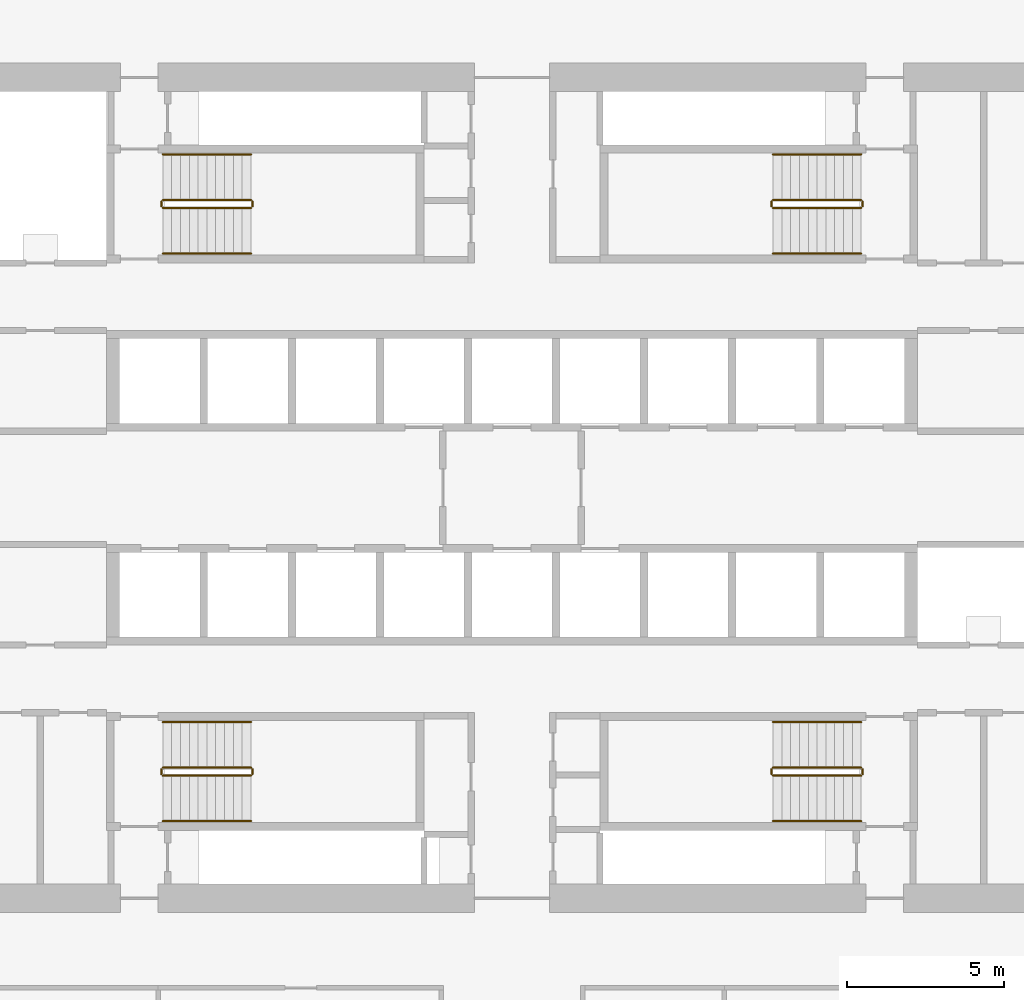
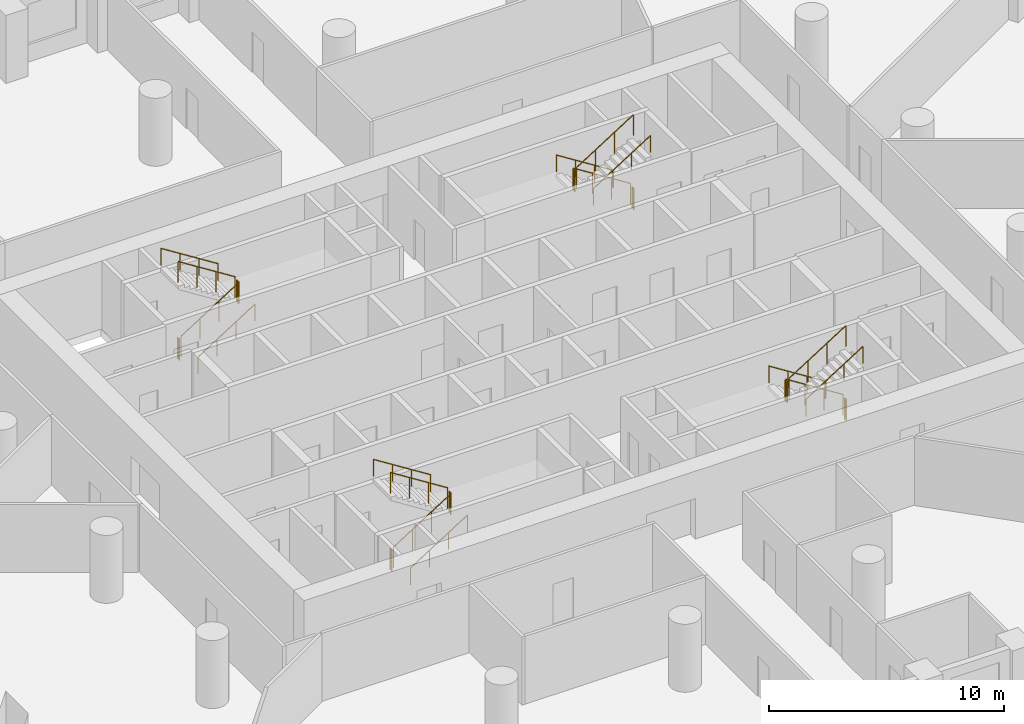
# One storey, part 10 of 10: 24 railings.
"""IFC4 building model written with IfcOpenShell, lengths in metres."""

from ifc_helpers import new_model, si_unit, direction, frame, origin, origin_2d, place, context, subcontext, project, spatial, circle, extrude, material, type_object, element, save


model = new_model("IFC4")

# Units and contexts
model_context = context("Model", 3, precision=1e-05, world=origin(), true_north=direction((0.0, 1.0)))
body_context = subcontext(model_context, "Body", "Model", "MODEL_VIEW")
ifc_project = project(units=[si_unit("LENGTHUNIT", "METRE"), si_unit("AREAUNIT", "SQUARE_METRE"), si_unit("VOLUMEUNIT", "CUBIC_METRE"), si_unit("PLANEANGLEUNIT", "RADIAN"), si_unit("MASSUNIT", "GRAM", prefix="KILO")], contexts=[model_context])

# Site, building, storey
site_placement = place(None, origin())
site = spatial("IfcSite", under=ifc_project, at=site_placement, CompositionType="ELEMENT")
building_placement = place(site_placement, origin())
building = spatial("IfcBuilding", under=site, at=building_placement, Name="Dhurran Vertical Campus", CompositionType="ELEMENT")
storey_placement = place(building_placement, frame((0.0, 0.0, 45.60009765625)))
storey = spatial("IfcBuildingStorey", under=building, at=storey_placement, Name="L10", CompositionType="ELEMENT", Elevation=45.60009765625)

# Railings
ifc_material_1 = material(Name="Stainless steel balustrade", Category="steel")
railing_type_1 = type_object("IfcRailingType", Name="co-RL-GUARD-1100", PredefinedType="GUARDRAIL", material=ifc_material_1)
railing_1_placement = place(storey_placement, frame((-11.10009765625, 8.89990234375, 0.17724609375)))
element("IfcRailing", 1, at=railing_1_placement, inside=storey, type_object=railing_type_1, Name="L10 ST1 stair guard 1", PredefinedType="GUARDRAIL", context=body_context, shape_type="SweptSolid", body=[
    extrude(circle(Radius=0.02392578125, at=origin_2d()), frame((0.0, 0.0, 1.076171875), z_axis=(0.844908973607, 0.0, 0.534910110503), x_axis=(0.0, 1.0, 0.0)), (0.0, 0.0, 1.0), 3.31396484375),
    extrude(circle(Radius=0.02099609375, at=origin_2d()), origin(), (0.0, 0.0, 1.0), 1.052001953125),
    extrude(circle(Radius=0.02099609375, at=origin_2d()), frame((0.933349609375, 0.0, 0.5908203125)), (0.0, 0.0, 1.0), 1.052001953125),
    extrude(circle(Radius=0.02099609375, at=origin_2d()), frame((1.86669921875, 0.0, 1.181884765625)), (0.0, 0.0, 1.0), 1.052001953125),
    extrude(circle(Radius=0.02099609375, at=origin_2d()), frame((2.800048828125, 0.0, 1.772705078125)), (0.0, 0.0, 1.0), 1.052001953125),
])
railing_2_placement = place(storey_placement, frame((-8.25, 8.949951171875, 1.949951171875)))
element("IfcRailing", 2, at=railing_2_placement, inside=storey, type_object=railing_type_1, Name="L10 ST1 stair guard 2", PredefinedType="GUARDRAIL", context=body_context, shape_type="SweptSolid", body=[
    extrude(circle(Radius=0.02392578125, at=origin_2d()), frame((0.0, 0.0, 1.076171875), z_axis=(0.0, 1.0, 0.0), x_axis=(-1.0, 0.0, 0.0)), (0.0, 0.0, 1.0), 0.150146484375),
    extrude(circle(Radius=0.02099609375, at=origin_2d()), origin(), (0.0, 0.0, 1.0), 1.052001953125),
    extrude(circle(Radius=0.02099609375, at=origin_2d()), frame((0.0, 0.150146484375, 0.0)), (0.0, 0.0, 1.0), 1.052001953125),
])
railing_3_placement = place(storey_placement, frame((-8.300048828125, 9.14990234375, 2.127197265625)))
element("IfcRailing", 3, at=railing_3_placement, inside=storey, type_object=railing_type_1, Name="L10 ST1 stair guard 3", PredefinedType="GUARDRAIL", context=body_context, shape_type="SweptSolid", body=[
    extrude(circle(Radius=0.02392578125, at=origin_2d()), frame((0.0, 0.0, 1.076171875), z_axis=(-0.844908973607, 0.0, 0.534910110503), x_axis=(0.0, -1.0, 0.0)), (0.0, 0.0, 1.0), 3.31396484375),
    extrude(circle(Radius=0.02099609375, at=origin_2d()), origin(), (0.0, 0.0, 1.0), 1.052001953125),
    extrude(circle(Radius=0.02099609375, at=origin_2d()), frame((-0.933349609375, 0.0, 0.5908203125)), (0.0, 0.0, 1.0), 1.052001953125),
    extrude(circle(Radius=0.02099609375, at=origin_2d()), frame((-1.86669921875, 0.0, 1.181884765625)), (0.0, 0.0, 1.0), 1.052001953125),
    extrude(circle(Radius=0.02099609375, at=origin_2d()), frame((-2.800048828125, 0.0, 1.772705078125)), (0.0, 0.0, 1.0), 1.052001953125),
])
railing_4_placement = place(storey_placement, frame((-11.14990234375, 8.949951171875, 0.0)))
element("IfcRailing", 4, at=railing_4_placement, inside=storey, type_object=railing_type_1, Name="L10 ST1 stair guard 4", PredefinedType="GUARDRAIL", context=body_context, shape_type="SweptSolid", body=[
    extrude(circle(Radius=0.02392578125, at=origin_2d()), frame((0.0, 0.0, 1.076171875), z_axis=(0.0, 1.0, 0.0), x_axis=(-1.0, 0.0, 0.0)), (0.0, 0.0, 1.0), 0.150146484375),
    extrude(circle(Radius=0.02099609375, at=origin_2d()), origin(), (0.0, 0.0, 1.0), 1.052001953125),
    extrude(circle(Radius=0.02099609375, at=origin_2d()), frame((0.0, 0.150146484375, 0.0)), (0.0, 0.0, 1.0), 1.052001953125),
])
railing_5_placement = place(storey_placement, frame((11.10009765625, 9.14990234375, 0.17724609375)))
element("IfcRailing", 5, at=railing_5_placement, inside=storey, type_object=railing_type_1, Name="L10 ST2 stair guard 1", PredefinedType="GUARDRAIL", context=body_context, shape_type="SweptSolid", body=[
    extrude(circle(Radius=0.02392578125, at=origin_2d()), frame((0.0, 0.0, 1.076171875), z_axis=(-0.844908973607, 0.0, 0.534910110503), x_axis=(0.0, -1.0, 0.0)), (0.0, 0.0, 1.0), 3.31396484375),
    extrude(circle(Radius=0.02099609375, at=origin_2d()), origin(), (0.0, 0.0, 1.0), 1.052001953125),
    extrude(circle(Radius=0.02099609375, at=origin_2d()), frame((-0.933349609375, 0.0, 0.5908203125)), (0.0, 0.0, 1.0), 1.052001953125),
    extrude(circle(Radius=0.02099609375, at=origin_2d()), frame((-1.86669921875, 0.0, 1.181884765625)), (0.0, 0.0, 1.0), 1.052001953125),
    extrude(circle(Radius=0.02099609375, at=origin_2d()), frame((-2.800048828125, 0.0, 1.772705078125)), (0.0, 0.0, 1.0), 1.052001953125),
])
railing_6_placement = place(storey_placement, frame((8.25, 9.10009765625, 1.949951171875)))
element("IfcRailing", 6, at=railing_6_placement, inside=storey, type_object=railing_type_1, Name="L10 ST2 stair guard 2", PredefinedType="GUARDRAIL", context=body_context, shape_type="SweptSolid", body=[
    extrude(circle(Radius=0.02392578125, at=origin_2d()), frame((0.0, 0.0, 1.076171875), z_axis=(0.0, -1.0, 0.0), x_axis=(1.0, 0.0, 0.0)), (0.0, 0.0, 1.0), 0.150146484375),
    extrude(circle(Radius=0.02099609375, at=origin_2d()), origin(), (0.0, 0.0, 1.0), 1.052001953125),
    extrude(circle(Radius=0.02099609375, at=origin_2d()), frame((0.0, -0.150146484375, 0.0)), (0.0, 0.0, 1.0), 1.052001953125),
])
railing_7_placement = place(storey_placement, frame((8.300048828125, 8.89990234375, 2.127197265625)))
element("IfcRailing", 7, at=railing_7_placement, inside=storey, type_object=railing_type_1, Name="L10 ST2 stair guard 3", PredefinedType="GUARDRAIL", context=body_context, shape_type="SweptSolid", body=[
    extrude(circle(Radius=0.02392578125, at=origin_2d()), frame((0.0, 0.0, 1.076171875), z_axis=(0.844908973607, 0.0, 0.534910110503), x_axis=(0.0, 1.0, 0.0)), (0.0, 0.0, 1.0), 3.31396484375),
    extrude(circle(Radius=0.02099609375, at=origin_2d()), origin(), (0.0, 0.0, 1.0), 1.052001953125),
    extrude(circle(Radius=0.02099609375, at=origin_2d()), frame((0.933349609375, 0.0, 0.5908203125)), (0.0, 0.0, 1.0), 1.052001953125),
    extrude(circle(Radius=0.02099609375, at=origin_2d()), frame((1.86669921875, 0.0, 1.181884765625)), (0.0, 0.0, 1.0), 1.052001953125),
    extrude(circle(Radius=0.02099609375, at=origin_2d()), frame((2.800048828125, 0.0, 1.772705078125)), (0.0, 0.0, 1.0), 1.052001953125),
])
railing_8_placement = place(storey_placement, frame((11.14990234375, 9.10009765625, 0.0)))
element("IfcRailing", 8, at=railing_8_placement, inside=storey, type_object=railing_type_1, Name="L10 ST2 stair guard 4", PredefinedType="GUARDRAIL", context=body_context, shape_type="SweptSolid", body=[
    extrude(circle(Radius=0.02392578125, at=origin_2d()), frame((0.0, 0.0, 1.076171875), z_axis=(0.0, -1.0, 0.0), x_axis=(1.0, 0.0, 0.0)), (0.0, 0.0, 1.0), 0.150146484375),
    extrude(circle(Radius=0.02099609375, at=origin_2d()), origin(), (0.0, 0.0, 1.0), 1.052001953125),
    extrude(circle(Radius=0.02099609375, at=origin_2d()), frame((0.0, -0.150146484375, 0.0)), (0.0, 0.0, 1.0), 1.052001953125),
])
railing_9_placement = place(storey_placement, frame((-11.10009765625, -9.14990234375, 0.17724609375)))
element("IfcRailing", 9, at=railing_9_placement, inside=storey, type_object=railing_type_1, Name="L10 ST3 stair guard 1", PredefinedType="GUARDRAIL", context=body_context, shape_type="SweptSolid", body=[
    extrude(circle(Radius=0.02392578125, at=origin_2d()), frame((0.0, 0.0, 1.076171875), z_axis=(0.844908973607, 0.0, 0.534910110503), x_axis=(0.0, 1.0, 0.0)), (0.0, 0.0, 1.0), 3.31396484375),
    extrude(circle(Radius=0.02099609375, at=origin_2d()), origin(), (0.0, 0.0, 1.0), 1.052001953125),
    extrude(circle(Radius=0.02099609375, at=origin_2d()), frame((0.933349609375, 0.0, 0.5908203125)), (0.0, 0.0, 1.0), 1.052001953125),
    extrude(circle(Radius=0.02099609375, at=origin_2d()), frame((1.86669921875, 0.0, 1.181884765625)), (0.0, 0.0, 1.0), 1.052001953125),
    extrude(circle(Radius=0.02099609375, at=origin_2d()), frame((2.800048828125, 0.0, 1.772705078125)), (0.0, 0.0, 1.0), 1.052001953125),
])
railing_10_placement = place(storey_placement, frame((-8.25, -9.10009765625, 1.949951171875)))
element("IfcRailing", 10, at=railing_10_placement, inside=storey, type_object=railing_type_1, Name="L10 ST3 stair guard 2", PredefinedType="GUARDRAIL", context=body_context, shape_type="SweptSolid", body=[
    extrude(circle(Radius=0.02392578125, at=origin_2d()), frame((0.0, 0.0, 1.076171875), z_axis=(0.0, 1.0, 0.0), x_axis=(-1.0, 0.0, 0.0)), (0.0, 0.0, 1.0), 0.150146484375),
    extrude(circle(Radius=0.02099609375, at=origin_2d()), origin(), (0.0, 0.0, 1.0), 1.052001953125),
    extrude(circle(Radius=0.02099609375, at=origin_2d()), frame((0.0, 0.150146484375, 0.0)), (0.0, 0.0, 1.0), 1.052001953125),
])
railing_11_placement = place(storey_placement, frame((-8.300048828125, -8.89990234375, 2.127197265625)))
element("IfcRailing", 11, at=railing_11_placement, inside=storey, type_object=railing_type_1, Name="L10 ST3 stair guard 3", PredefinedType="GUARDRAIL", context=body_context, shape_type="SweptSolid", body=[
    extrude(circle(Radius=0.02392578125, at=origin_2d()), frame((0.0, 0.0, 1.076171875), z_axis=(-0.844908973607, 0.0, 0.534910110503), x_axis=(0.0, -1.0, 0.0)), (0.0, 0.0, 1.0), 3.31396484375),
    extrude(circle(Radius=0.02099609375, at=origin_2d()), origin(), (0.0, 0.0, 1.0), 1.052001953125),
    extrude(circle(Radius=0.02099609375, at=origin_2d()), frame((-0.933349609375, 0.0, 0.5908203125)), (0.0, 0.0, 1.0), 1.052001953125),
    extrude(circle(Radius=0.02099609375, at=origin_2d()), frame((-1.86669921875, 0.0, 1.181884765625)), (0.0, 0.0, 1.0), 1.052001953125),
    extrude(circle(Radius=0.02099609375, at=origin_2d()), frame((-2.800048828125, 0.0, 1.772705078125)), (0.0, 0.0, 1.0), 1.052001953125),
])
railing_12_placement = place(storey_placement, frame((-11.14990234375, -9.10009765625, 0.0)))
element("IfcRailing", 12, at=railing_12_placement, inside=storey, type_object=railing_type_1, Name="L10 ST3 stair guard 4", PredefinedType="GUARDRAIL", context=body_context, shape_type="SweptSolid", body=[
    extrude(circle(Radius=0.02392578125, at=origin_2d()), frame((0.0, 0.0, 1.076171875), z_axis=(0.0, 1.0, 0.0), x_axis=(-1.0, 0.0, 0.0)), (0.0, 0.0, 1.0), 0.150146484375),
    extrude(circle(Radius=0.02099609375, at=origin_2d()), origin(), (0.0, 0.0, 1.0), 1.052001953125),
    extrude(circle(Radius=0.02099609375, at=origin_2d()), frame((0.0, 0.150146484375, 0.0)), (0.0, 0.0, 1.0), 1.052001953125),
])
railing_13_placement = place(storey_placement, frame((11.10009765625, -8.89990234375, 0.17724609375)))
element("IfcRailing", 13, at=railing_13_placement, inside=storey, type_object=railing_type_1, Name="L10 ST4 stair guard 1", PredefinedType="GUARDRAIL", context=body_context, shape_type="SweptSolid", body=[
    extrude(circle(Radius=0.02392578125, at=origin_2d()), frame((0.0, 0.0, 1.076171875), z_axis=(-0.844908973607, 0.0, 0.534910110503), x_axis=(0.0, -1.0, 0.0)), (0.0, 0.0, 1.0), 3.31396484375),
    extrude(circle(Radius=0.02099609375, at=origin_2d()), origin(), (0.0, 0.0, 1.0), 1.052001953125),
    extrude(circle(Radius=0.02099609375, at=origin_2d()), frame((-0.933349609375, 0.0, 0.5908203125)), (0.0, 0.0, 1.0), 1.052001953125),
    extrude(circle(Radius=0.02099609375, at=origin_2d()), frame((-1.86669921875, 0.0, 1.181884765625)), (0.0, 0.0, 1.0), 1.052001953125),
    extrude(circle(Radius=0.02099609375, at=origin_2d()), frame((-2.800048828125, 0.0, 1.772705078125)), (0.0, 0.0, 1.0), 1.052001953125),
])
railing_14_placement = place(storey_placement, frame((8.25, -8.949951171875, 1.949951171875)))
element("IfcRailing", 14, at=railing_14_placement, inside=storey, type_object=railing_type_1, Name="L10 ST4 stair guard 2", PredefinedType="GUARDRAIL", context=body_context, shape_type="SweptSolid", body=[
    extrude(circle(Radius=0.02392578125, at=origin_2d()), frame((0.0, 0.0, 1.076171875), z_axis=(0.0, -1.0, 0.0), x_axis=(1.0, 0.0, 0.0)), (0.0, 0.0, 1.0), 0.150146484375),
    extrude(circle(Radius=0.02099609375, at=origin_2d()), origin(), (0.0, 0.0, 1.0), 1.052001953125),
    extrude(circle(Radius=0.02099609375, at=origin_2d()), frame((0.0, -0.150146484375, 0.0)), (0.0, 0.0, 1.0), 1.052001953125),
])
railing_15_placement = place(storey_placement, frame((8.300048828125, -9.14990234375, 2.127197265625)))
element("IfcRailing", 15, at=railing_15_placement, inside=storey, type_object=railing_type_1, Name="L10 ST4 stair guard 3", PredefinedType="GUARDRAIL", context=body_context, shape_type="SweptSolid", body=[
    extrude(circle(Radius=0.02392578125, at=origin_2d()), frame((0.0, 0.0, 1.076171875), z_axis=(0.844908973607, 0.0, 0.534910110503), x_axis=(0.0, 1.0, 0.0)), (0.0, 0.0, 1.0), 3.31396484375),
    extrude(circle(Radius=0.02099609375, at=origin_2d()), origin(), (0.0, 0.0, 1.0), 1.052001953125),
    extrude(circle(Radius=0.02099609375, at=origin_2d()), frame((0.933349609375, 0.0, 0.5908203125)), (0.0, 0.0, 1.0), 1.052001953125),
    extrude(circle(Radius=0.02099609375, at=origin_2d()), frame((1.86669921875, 0.0, 1.181884765625)), (0.0, 0.0, 1.0), 1.052001953125),
    extrude(circle(Radius=0.02099609375, at=origin_2d()), frame((2.800048828125, 0.0, 1.772705078125)), (0.0, 0.0, 1.0), 1.052001953125),
])
railing_16_placement = place(storey_placement, frame((11.14990234375, -8.949951171875, 0.0)))
element("IfcRailing", 16, at=railing_16_placement, inside=storey, type_object=railing_type_1, Name="L10 ST4 stair guard 4", PredefinedType="GUARDRAIL", context=body_context, shape_type="SweptSolid", body=[
    extrude(circle(Radius=0.02392578125, at=origin_2d()), frame((0.0, 0.0, 1.076171875), z_axis=(0.0, -1.0, 0.0), x_axis=(1.0, 0.0, 0.0)), (0.0, 0.0, 1.0), 0.150146484375),
    extrude(circle(Radius=0.02099609375, at=origin_2d()), origin(), (0.0, 0.0, 1.0), 1.052001953125),
    extrude(circle(Radius=0.02099609375, at=origin_2d()), frame((0.0, -0.150146484375, 0.0)), (0.0, 0.0, 1.0), 1.052001953125),
])
ifc_material_2 = material(Name="Stainless steel handrail", Category="steel")
railing_type_2 = type_object("IfcRailingType", Name="co-RL-HANDRAIL-900", PredefinedType="HANDRAIL", material=ifc_material_2)
railing_17_placement = place(storey_placement, frame((-11.10009765625, 7.449951171875, 0.17724609375)))
element("IfcRailing", 17, at=railing_17_placement, inside=storey, type_object=railing_type_2, Name="L10 ST1 stair handrail 1", PredefinedType="HANDRAIL", context=body_context, shape_type="SweptSolid", body=[
    extrude(circle(Radius=0.02392578125, at=origin_2d()), frame((0.0, 0.0, 0.8759765625), z_axis=(0.844908973607, 0.0, 0.534910110503), x_axis=(0.0, 1.0, 0.0)), (0.0, 0.0, 1.0), 3.31396484375),
    extrude(circle(Radius=0.02099609375, at=origin_2d()), origin(), (0.0, 0.0, 1.0), 0.851806640625),
    extrude(circle(Radius=0.02099609375, at=origin_2d()), frame((0.933349609375, 0.0, 0.5908203125)), (0.0, 0.0, 1.0), 0.851806640625),
    extrude(circle(Radius=0.02099609375, at=origin_2d()), frame((1.86669921875, 0.0, 1.181884765625)), (0.0, 0.0, 1.0), 0.851806640625),
    extrude(circle(Radius=0.02099609375, at=origin_2d()), frame((2.800048828125, 0.0, 1.772705078125)), (0.0, 0.0, 1.0), 0.851806640625),
])
for number, where, name in (
    (18, (-8.300048828125, 10.60009765625, 2.127197265625), "L10 ST1 stair handrail 2"),
    (19, (11.10009765625, 10.60009765625, 0.17724609375), "L10 ST2 stair handrail 1"),
):
    element("IfcRailing", number, at=place(storey_placement, frame(where)), inside=storey, type_object=railing_type_2, Name=name, PredefinedType="HANDRAIL", context=body_context, shape_type="SweptSolid", body=[
        extrude(circle(Radius=0.02392578125, at=origin_2d()), frame((0.0, 0.0, 0.8759765625), z_axis=(-0.844908973607, 0.0, 0.534910110503), x_axis=(0.0, -1.0, 0.0)), (0.0, 0.0, 1.0), 3.31396484375),
        extrude(circle(Radius=0.02099609375, at=origin_2d()), origin(), (0.0, 0.0, 1.0), 0.851806640625),
        extrude(circle(Radius=0.02099609375, at=origin_2d()), frame((-0.933349609375, 0.0, 0.5908203125)), (0.0, 0.0, 1.0), 0.851806640625),
        extrude(circle(Radius=0.02099609375, at=origin_2d()), frame((-1.86669921875, 0.0, 1.181884765625)), (0.0, 0.0, 1.0), 0.851806640625),
        extrude(circle(Radius=0.02099609375, at=origin_2d()), frame((-2.800048828125, 0.0, 1.772705078125)), (0.0, 0.0, 1.0), 0.851806640625),
    ])
for number, where, name in (
    (20, (8.300048828125, 7.449951171875, 2.127197265625), "L10 ST2 stair handrail 2"),
    (21, (-11.10009765625, -10.60009765625, 0.17724609375), "L10 ST3 stair handrail 1"),
):
    element("IfcRailing", number, at=place(storey_placement, frame(where)), inside=storey, type_object=railing_type_2, Name=name, PredefinedType="HANDRAIL", context=body_context, shape_type="SweptSolid", body=[
        extrude(circle(Radius=0.02392578125, at=origin_2d()), frame((0.0, 0.0, 0.8759765625), z_axis=(0.844908973607, 0.0, 0.534910110503), x_axis=(0.0, 1.0, 0.0)), (0.0, 0.0, 1.0), 3.31396484375),
        extrude(circle(Radius=0.02099609375, at=origin_2d()), origin(), (0.0, 0.0, 1.0), 0.851806640625),
        extrude(circle(Radius=0.02099609375, at=origin_2d()), frame((0.933349609375, 0.0, 0.5908203125)), (0.0, 0.0, 1.0), 0.851806640625),
        extrude(circle(Radius=0.02099609375, at=origin_2d()), frame((1.86669921875, 0.0, 1.181884765625)), (0.0, 0.0, 1.0), 0.851806640625),
        extrude(circle(Radius=0.02099609375, at=origin_2d()), frame((2.800048828125, 0.0, 1.772705078125)), (0.0, 0.0, 1.0), 0.851806640625),
    ])
for number, where, name in (
    (22, (-8.300048828125, -7.449951171875, 2.127197265625), "L10 ST3 stair handrail 2"),
    (23, (11.10009765625, -7.449951171875, 0.17724609375), "L10 ST4 stair handrail 1"),
):
    element("IfcRailing", number, at=place(storey_placement, frame(where)), inside=storey, type_object=railing_type_2, Name=name, PredefinedType="HANDRAIL", context=body_context, shape_type="SweptSolid", body=[
        extrude(circle(Radius=0.02392578125, at=origin_2d()), frame((0.0, 0.0, 0.8759765625), z_axis=(-0.844908973607, 0.0, 0.534910110503), x_axis=(0.0, -1.0, 0.0)), (0.0, 0.0, 1.0), 3.31396484375),
        extrude(circle(Radius=0.02099609375, at=origin_2d()), origin(), (0.0, 0.0, 1.0), 0.851806640625),
        extrude(circle(Radius=0.02099609375, at=origin_2d()), frame((-0.933349609375, 0.0, 0.5908203125)), (0.0, 0.0, 1.0), 0.851806640625),
        extrude(circle(Radius=0.02099609375, at=origin_2d()), frame((-1.86669921875, 0.0, 1.181884765625)), (0.0, 0.0, 1.0), 0.851806640625),
        extrude(circle(Radius=0.02099609375, at=origin_2d()), frame((-2.800048828125, 0.0, 1.772705078125)), (0.0, 0.0, 1.0), 0.851806640625),
    ])
railing_18_placement = place(storey_placement, frame((8.300048828125, -10.60009765625, 2.127197265625)))
element("IfcRailing", 24, at=railing_18_placement, inside=storey, type_object=railing_type_2, Name="L10 ST4 stair handrail 2", PredefinedType="HANDRAIL", context=body_context, shape_type="SweptSolid", body=[
    extrude(circle(Radius=0.02392578125, at=origin_2d()), frame((0.0, 0.0, 0.8759765625), z_axis=(0.844908973607, 0.0, 0.534910110503), x_axis=(0.0, 1.0, 0.0)), (0.0, 0.0, 1.0), 3.31396484375),
    extrude(circle(Radius=0.02099609375, at=origin_2d()), origin(), (0.0, 0.0, 1.0), 0.851806640625),
    extrude(circle(Radius=0.02099609375, at=origin_2d()), frame((0.933349609375, 0.0, 0.5908203125)), (0.0, 0.0, 1.0), 0.851806640625),
    extrude(circle(Radius=0.02099609375, at=origin_2d()), frame((1.86669921875, 0.0, 1.181884765625)), (0.0, 0.0, 1.0), 0.851806640625),
    extrude(circle(Radius=0.02099609375, at=origin_2d()), frame((2.800048828125, 0.0, 1.772705078125)), (0.0, 0.0, 1.0), 0.851806640625),
])

save(model, "model.ifc")
